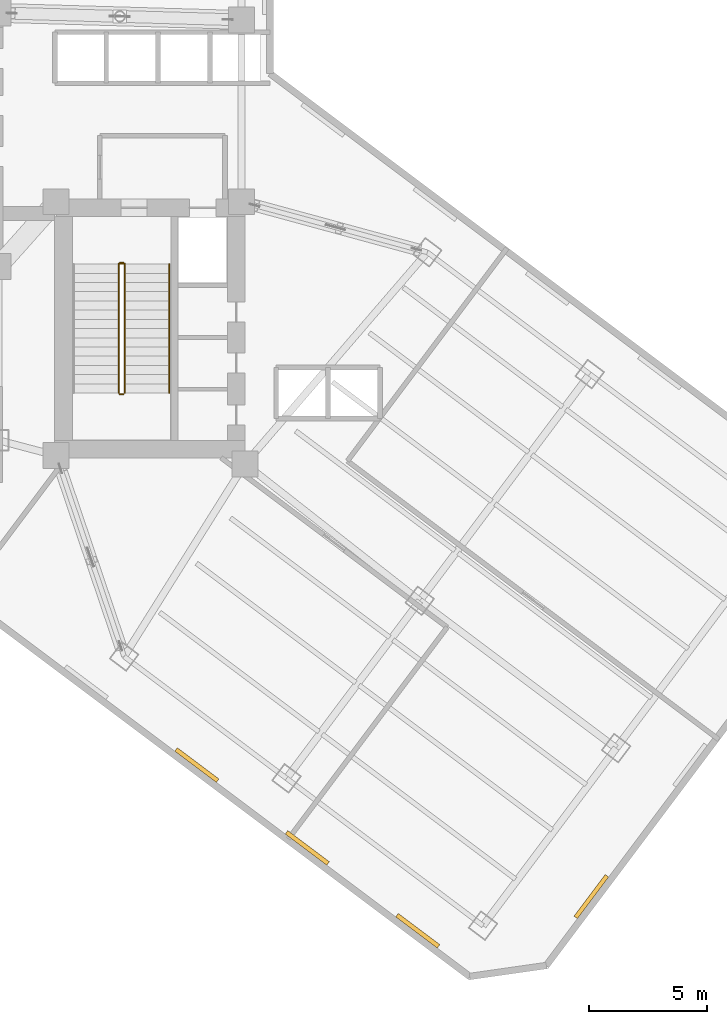
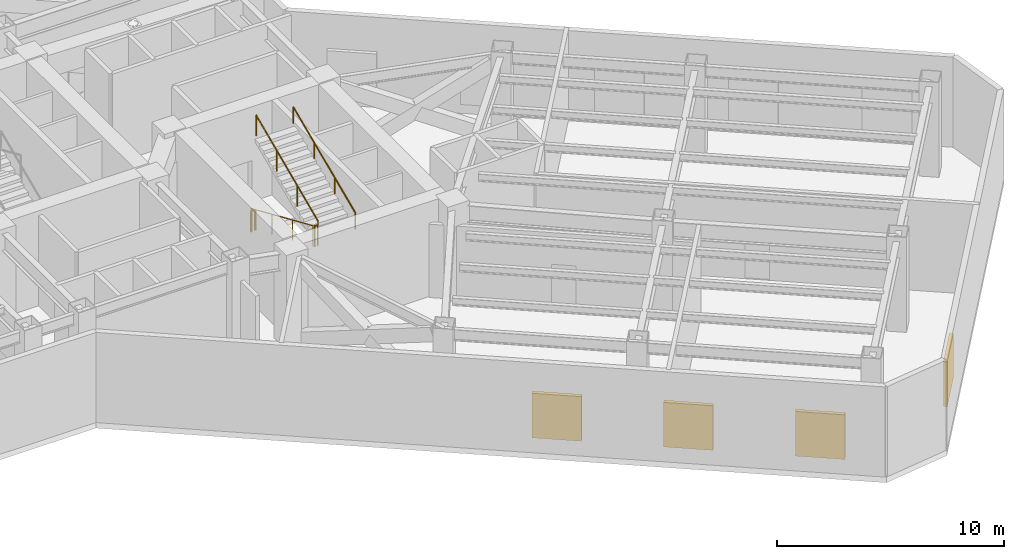
# One storey, part 12 of 14: 6 railings, 4 shading devices.
"""IFC4 building model written with IfcOpenShell, lengths in metres."""

from ifc_helpers import new_model, si_unit, direction, frame, origin, origin_2d, place, context, subcontext, project, spatial, rectangle, circle, extrude, material, layer, layer_set, type_object, element, save


model = new_model("IFC4")

# Units and contexts
model_context = context("Model", 3, precision=1e-05, world=origin(), true_north=direction((0.0, 1.0)))
body_context = subcontext(model_context, "Body", "Model", "MODEL_VIEW")
ifc_project = project(units=[si_unit("LENGTHUNIT", "METRE"), si_unit("AREAUNIT", "SQUARE_METRE"), si_unit("VOLUMEUNIT", "CUBIC_METRE"), si_unit("PLANEANGLEUNIT", "RADIAN"), si_unit("MASSUNIT", "GRAM", prefix="KILO")], contexts=[model_context])

# Site, building, storey
site_placement = place(None, origin())
site = spatial("IfcSite", under=ifc_project, at=site_placement, CompositionType="ELEMENT")
building_placement = place(site_placement, origin())
building = spatial("IfcBuilding", under=site, at=building_placement, Name="Hatsunagi Terrace Concourse", CompositionType="ELEMENT")
storey_placement = place(building_placement, frame((0.0, 0.0, 91.35009765625)))
storey = spatial("IfcBuildingStorey", under=building, at=storey_placement, Name="L24", CompositionType="ELEMENT", Elevation=91.35009765625)

# Shading devices
ifc_material_1 = material(Name="Powder-Coated Aluminium Acoustic Louvre", Category="aluminium")
ifc_layer_1 = layer(ifc_material_1, 0.179931640625)
ifc_layer_set_1 = layer_set([ifc_layer_1], Name="PlantAcousticLouvre_180")
shading_device_type = type_object("IfcShadingDeviceType", Name="PlantAcousticLouvre_180", PredefinedType="JALOUSIE", material=ifc_layer_set_1)
for number, where, z_axis, x_axis, name in (
    (1, (58.467041015625, 5.873046875, 0.599853515625), (0.0, 0.0, 1.0), (-0.599969314634, -0.800023013105, 0.0), "Plant Acoustic Louvre L24-03-3"),
    (2, (51.116943359375, 4.425048828125, 0.599853515625), (0.0, 0.0, 1.0), (-0.800003116929, 0.599995844072, 0.0), "Plant Acoustic Louvre L24-05-1"),
    (3, (46.43798828125, 7.93408203125, 0.599853515625), (0.0, 0.0, 1.0), (-0.800003116929, 0.599995844072, 0.0), "Plant Acoustic Louvre L24-05-2"),
    (4, (41.760009765625, 11.443115234375, 0.599853515625), (0.0, 0.0, 1.0), (-0.800003116929, 0.599995844072, 0.0), "Plant Acoustic Louvre L24-05-3"),
):
    element("IfcShadingDevice", number, at=place(storey_placement, frame(where, z_axis=z_axis, x_axis=x_axis)), inside=storey, type_object=shading_device_type, Name=name, PredefinedType="JALOUSIE", context=body_context, shape_type="SweptSolid", body=[
        extrude(rectangle(XDim=2.199951171875, YDim=0.179931640625, at=origin_2d()), origin(), (0.0, 0.0, 1.0), 2.39990234375),
    ])

# Railings
ifc_material_2 = material(Name="Stainless steel", Category="steel")
ifc_layer_2 = layer(ifc_material_2, 0.044921875)
ifc_layer_set_2 = layer_set([ifc_layer_2], Name="StairPitchHandrail_Tower2000")
railing_type_1 = type_object("IfcRailingType", Name="StairPitchHandrail_Tower2000", PredefinedType="HANDRAIL", material=ifc_layer_set_2)
railing_1_placement = place(storey_placement, frame((40.60009765625, 27.199951171875, 2.719970703125)))
element("IfcRailing", 5, at=railing_1_placement, inside=storey, type_object=railing_type_1, Name="L24 ST-B stair handrail 2", PredefinedType="HANDRAIL", context=body_context, shape_type="SweptSolid", body=[
    extrude(circle(Radius=0.02392578125, at=origin_2d()), frame((0.0, 0.0, 0.8759765625), z_axis=(0.0, 0.916702124435, 0.39957128908), x_axis=(-1.0, 0.0, 0.0)), (0.0, 0.0, 1.0), 5.9560546875),
    extrude(circle(Radius=0.02099609375, at=origin_2d()), origin(), (0.0, 0.0, 1.0), 0.851806640625),
    extrude(circle(Radius=0.02099609375, at=origin_2d()), frame((0.0, 1.820068359375, 0.793212890625)), (0.0, 0.0, 1.0), 0.851806640625),
    extrude(circle(Radius=0.02099609375, at=origin_2d()), frame((0.0, 3.639892578125, 1.586669921875)), (0.0, 0.0, 1.0), 0.851806640625),
    extrude(circle(Radius=0.02099609375, at=origin_2d()), frame((0.0, 5.4599609375, 2.3798828125)), (0.0, 0.0, 1.0), 0.851806640625),
])
ifc_material_3 = material(Name="Stainless steel", Category="steel")
ifc_layer_3 = layer(ifc_material_3, 0.06005859375)
ifc_layer_set_3 = layer_set([ifc_layer_3], Name="StairWellGuard_Tower2000")
railing_type_2 = type_object("IfcRailingType", Name="StairWellGuard_Tower2000", PredefinedType="BALUSTRADE", material=ifc_layer_set_3)
railing_2_placement = place(storey_placement, frame((38.449951171875, 32.659912109375, 0.169921875)))
element("IfcRailing", 6, at=railing_2_placement, inside=storey, type_object=railing_type_2, Name="L24 ST-B stair guard 1", PredefinedType="BALUSTRADE", context=body_context, shape_type="SweptSolid", body=[
    extrude(circle(Radius=0.02392578125, at=origin_2d()), frame((0.0, 0.0, 1.09619140625), z_axis=(0.0, -0.916702124435, 0.39957128908), x_axis=(1.0, 0.0, 0.0)), (0.0, 0.0, 1.0), 5.9560546875),
    extrude(circle(Radius=0.02099609375, at=origin_2d()), origin(), (0.0, 0.0, 1.0), 1.072021484375),
    extrude(circle(Radius=0.02099609375, at=origin_2d()), frame((0.0, -1.820068359375, 0.793212890625)), (0.0, 0.0, 1.0), 1.072021484375),
    extrude(circle(Radius=0.02099609375, at=origin_2d()), frame((0.0, -3.639892578125, 1.586669921875)), (0.0, 0.0, 1.0), 1.072021484375),
    extrude(circle(Radius=0.02099609375, at=origin_2d()), frame((0.0, -5.4599609375, 2.3798828125)), (0.0, 0.0, 1.0), 1.072021484375),
])
railing_3_placement = place(storey_placement, frame((38.5, 27.14990234375, 2.5498046875)))
element("IfcRailing", 7, at=railing_3_placement, inside=storey, type_object=railing_type_2, Name="L24 ST-B stair guard 2", PredefinedType="BALUSTRADE", context=body_context, shape_type="SweptSolid", body=[
    extrude(circle(Radius=0.02392578125, at=origin_2d()), frame((0.0, 0.0, 1.09619140625), z_axis=(1.0, 0.0, 0.0), x_axis=(0.0, 1.0, 0.0)), (0.0, 0.0, 1.0), 0.14990234375),
    extrude(circle(Radius=0.02099609375, at=origin_2d()), origin(), (0.0, 0.0, 1.0), 1.072021484375),
    extrude(circle(Radius=0.02099609375, at=origin_2d()), frame((0.14990234375, 0.0, 0.0)), (0.0, 0.0, 1.0), 1.072021484375),
])
railing_4_placement = place(storey_placement, frame((38.699951171875, 27.199951171875, 2.719970703125)))
element("IfcRailing", 8, at=railing_4_placement, inside=storey, type_object=railing_type_2, Name="L24 ST-B stair guard 3", PredefinedType="BALUSTRADE", context=body_context, shape_type="SweptSolid", body=[
    extrude(circle(Radius=0.02392578125, at=origin_2d()), frame((0.0, 0.0, 1.09619140625), z_axis=(0.0, 0.916702124435, 0.39957128908), x_axis=(-1.0, 0.0, 0.0)), (0.0, 0.0, 1.0), 5.9560546875),
    extrude(circle(Radius=0.02099609375, at=origin_2d()), origin(), (0.0, 0.0, 1.0), 1.072021484375),
    extrude(circle(Radius=0.02099609375, at=origin_2d()), frame((0.0, 1.820068359375, 0.793212890625)), (0.0, 0.0, 1.0), 1.072021484375),
    extrude(circle(Radius=0.02099609375, at=origin_2d()), frame((0.0, 3.639892578125, 1.586669921875)), (0.0, 0.0, 1.0), 1.072021484375),
    extrude(circle(Radius=0.02099609375, at=origin_2d()), frame((0.0, 5.4599609375, 2.3798828125)), (0.0, 0.0, 1.0), 1.072021484375),
])
railing_5_placement = place(storey_placement, frame((38.5, 32.7099609375, 0.0)))
element("IfcRailing", 9, at=railing_5_placement, inside=storey, type_object=railing_type_2, Name="L24 ST-B stair guard 4", PredefinedType="BALUSTRADE", context=body_context, shape_type="SweptSolid", body=[
    extrude(circle(Radius=0.02392578125, at=origin_2d()), frame((0.0, 0.0, 1.09619140625), z_axis=(1.0, 0.0, 0.0), x_axis=(0.0, 1.0, 0.0)), (0.0, 0.0, 1.0), 0.14990234375),
    extrude(circle(Radius=0.02099609375, at=origin_2d()), origin(), (0.0, 0.0, 1.0), 1.072021484375),
    extrude(circle(Radius=0.02099609375, at=origin_2d()), frame((0.14990234375, 0.0, 0.0)), (0.0, 0.0, 1.0), 1.072021484375),
])
ifc_material_4 = material(Name="Stainless Steel SUS316 Post-and-Rail Guard", Category="steel")
ifc_layer_4 = layer(ifc_material_4, 0.080078125)
ifc_layer_set_4 = layer_set([ifc_layer_4], Name="TerracePlantedGuardRail_1200")
railing_type_3 = type_object("IfcRailingType", Name="TerracePlantedGuardRail_1200", PredefinedType="GUARDRAIL", material=ifc_layer_set_4)
railing_6_placement = place(storey_placement, frame((38.449951171875, 32.679931640625, 0.0)))
element("IfcRailing", 10, at=railing_6_placement, inside=storey, type_object=railing_type_3, Name="Stair ST-B Well Closure Guard L24", PredefinedType="GUARDRAIL", context=body_context, shape_type="SweptSolid", body=[
    extrude(circle(Radius=0.02392578125, at=origin_2d()), frame((0.0, 0.0, 1.09619140625), z_axis=(1.0, 0.0, 0.0), x_axis=(0.0, 1.0, 0.0)), (0.0, 0.0, 1.0), 0.25),
    extrude(circle(Radius=0.02099609375, at=origin_2d()), origin(), (0.0, 0.0, 1.0), 1.072021484375),
    extrude(circle(Radius=0.02099609375, at=origin_2d()), frame((0.25, 0.0, 0.0)), (0.0, 0.0, 1.0), 1.072021484375),
])

save(model, "model.ifc")
